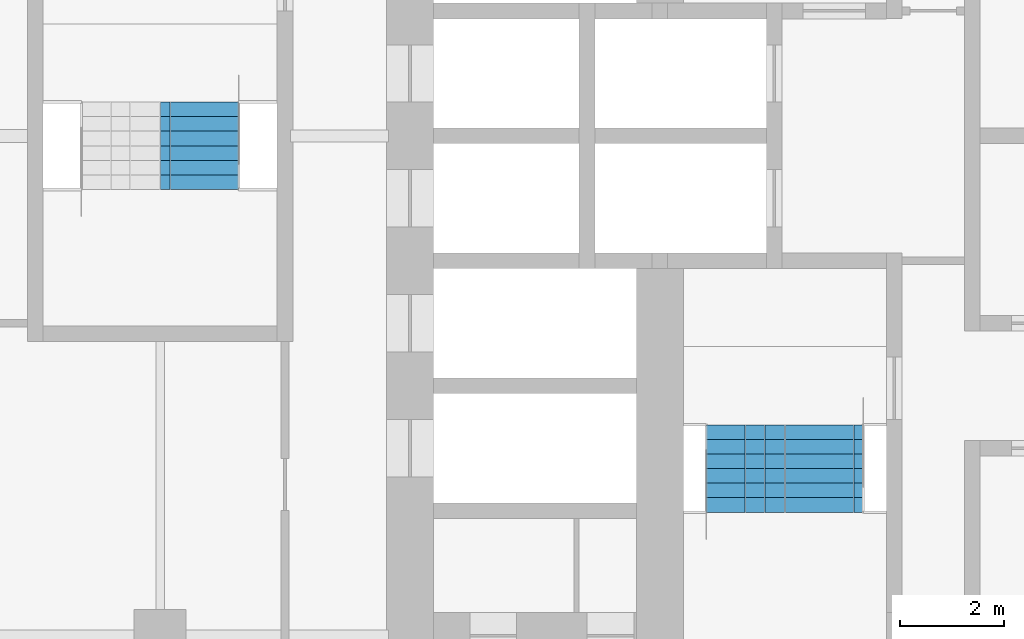
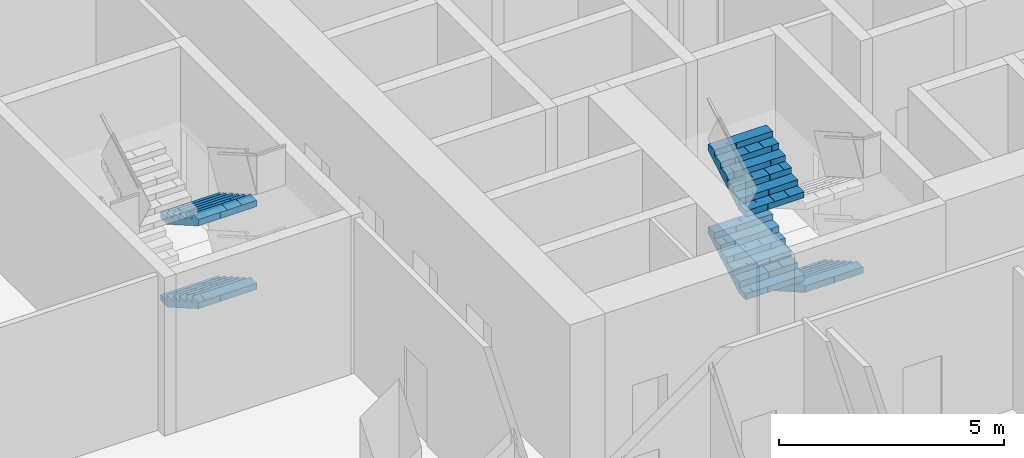
# One storey, part 20 of 27: 5 stair flights, 2 elements without a shape of their own.
"""IFC4 building model written with IfcOpenShell, lengths in metres."""

from ifc_helpers import new_model, si_unit, direction, frame, origin, place, context, subcontext, project, spatial, polyline, outline, extrude, material, type_object, element, aggregate, save


model = new_model("IFC4")

# Units and contexts
model_context = context("Model", 3, precision=1e-05, world=origin(), true_north=direction((0.0, 1.0)))
body_context = subcontext(model_context, "Body", "Model", "MODEL_VIEW")
ifc_project = project(units=[si_unit("LENGTHUNIT", "METRE"), si_unit("AREAUNIT", "SQUARE_METRE"), si_unit("VOLUMEUNIT", "CUBIC_METRE"), si_unit("PLANEANGLEUNIT", "RADIAN"), si_unit("MASSUNIT", "GRAM", prefix="KILO")], contexts=[model_context])

# Site, building, storey
site_placement = place(None, origin())
site = spatial("IfcSite", under=ifc_project, at=site_placement, CompositionType="ELEMENT")
building_placement = place(site_placement, origin())
building = spatial("IfcBuilding", under=site, at=building_placement, Name="Kolab Exchange Tower", CompositionType="ELEMENT")
storey_placement = place(building_placement, frame((0.0, 0.0, 118.39990234375)))
storey = spatial("IfcBuildingStorey", under=building, at=storey_placement, Name="L23", CompositionType="ELEMENT", Elevation=118.39990234375)

# Stair, stair flights
ifc_material = material(Name="Concrete C50/60", Category="concrete")
stair_type_1 = type_object("IfcStairType", Name="STAIR ST3 RISER 160.7", PredefinedType="DOUBLE_RETURN_STAIR", material=ifc_material)
stair_1_placement = place(storey_placement, origin())
stair_1 = element("IfcStair", 1, at=stair_1_placement, inside=storey, type_object=stair_type_1, Name="Stair 3", PredefinedType="DOUBLE_RETURN_STAIR")
stair_flight_type = type_object("IfcStairFlightType", Name="STAIR FLIGHT 1500 RISER 160.7", PredefinedType="STRAIGHT", material=ifc_material)
stair_flight_1_placement = place(storey_placement, frame((-6.43994140625, -5.550048828125, 0.0), z_axis=(0.0, 0.0, 1.0), x_axis=(0.0, -1.0, 0.0)))
stair_flight_1 = element("IfcStairFlight", 2, at=stair_flight_1_placement, type_object=stair_flight_type, Name="ST3 flight 1", NumberOfRisers=7, NumberOfTreads=6, PredefinedType="STRAIGHT", RiserHeight=0.160714286, TreadLength=0.28, context=body_context, shape_type="SweptSolid", body=[
    extrude(outline(polyline([(0.0, 0.0), (0.0, 0.16064453125), (0.280029296875, 0.16064453125), (0.280029296875, 0.321533203125), (0.56005859375, 0.321533203125), (0.56005859375, 0.482177734375), (0.840087890625, 0.482177734375), (0.840087890625, 0.642822265625), (1.1201171875, 0.642822265625), (1.1201171875, 0.803466796875), (1.39990234375, 0.803466796875), (1.39990234375, 0.96435546875), (1.679931640625, 0.96435546875), (1.679931640625, 1.125), (1.679931640625, 0.79150390625), (0.301025390625, 0.0), (0.0, 0.0)])), frame((0.0, 0.75, 0.0), z_axis=(0.0, -1.0, 0.0), x_axis=(1.0, 0.0, 0.0)), (0.0, 0.0, 1.0), 0.185791015625),
    extrude(outline(polyline([(0.0, 0.0), (0.0, 0.16064453125), (0.280029296875, 0.16064453125), (0.280029296875, 0.321533203125), (0.56005859375, 0.321533203125), (0.56005859375, 0.482177734375), (0.840087890625, 0.482177734375), (0.840087890625, 0.642822265625), (1.1201171875, 0.642822265625), (1.1201171875, 0.803466796875), (1.39990234375, 0.803466796875), (1.39990234375, 0.96435546875), (1.679931640625, 0.96435546875), (1.679931640625, 1.125), (1.679931640625, 0.79150390625), (0.301025390625, 0.0), (0.0, 0.0)])), frame((0.0, 0.562255859375, 0.0), z_axis=(0.0, -1.0, 0.0), x_axis=(1.0, 0.0, 0.0)), (0.0, 0.0, 1.0), 0.185791015625),
    extrude(outline(polyline([(0.0, 0.0), (0.0, 0.16064453125), (0.280029296875, 0.16064453125), (0.280029296875, 0.321533203125), (0.56005859375, 0.321533203125), (0.56005859375, 0.482177734375), (0.840087890625, 0.482177734375), (0.840087890625, 0.642822265625), (1.1201171875, 0.642822265625), (1.1201171875, 0.803466796875), (1.39990234375, 0.803466796875), (1.39990234375, 0.96435546875), (1.679931640625, 0.96435546875), (1.679931640625, 1.125), (1.679931640625, 0.79150390625), (0.301025390625, 0.0), (0.0, 0.0)])), frame((0.0, 0.37451171875, 0.0), z_axis=(0.0, -1.0, 0.0), x_axis=(1.0, 0.0, 0.0)), (0.0, 0.0, 1.0), 0.185791015625),
    extrude(outline(polyline([(0.0, 0.0), (0.0, 0.16064453125), (0.280029296875, 0.16064453125), (0.280029296875, 0.321533203125), (0.56005859375, 0.321533203125), (0.56005859375, 0.482177734375), (0.840087890625, 0.482177734375), (0.840087890625, 0.642822265625), (1.1201171875, 0.642822265625), (1.1201171875, 0.803466796875), (1.39990234375, 0.803466796875), (1.39990234375, 0.96435546875), (1.679931640625, 0.96435546875), (1.679931640625, 1.125), (1.679931640625, 0.79150390625), (0.301025390625, 0.0), (0.0, 0.0)])), frame((0.0, 0.186767578125, 0.0), z_axis=(0.0, -1.0, 0.0), x_axis=(1.0, 0.0, 0.0)), (0.0, 0.0, 1.0), 0.185791015625),
    extrude(outline(polyline([(0.0, 0.0), (0.0, 0.16064453125), (0.280029296875, 0.16064453125), (0.280029296875, 0.321533203125), (0.56005859375, 0.321533203125), (0.56005859375, 0.482177734375), (0.840087890625, 0.482177734375), (0.840087890625, 0.642822265625), (1.1201171875, 0.642822265625), (1.1201171875, 0.803466796875), (1.39990234375, 0.803466796875), (1.39990234375, 0.96435546875), (1.679931640625, 0.96435546875), (1.679931640625, 1.125), (1.679931640625, 0.79150390625), (0.301025390625, 0.0), (0.0, 0.0)])), frame((0.0, -0.0009765625, 0.0), z_axis=(0.0, -1.0, 0.0), x_axis=(1.0, 0.0, 0.0)), (0.0, 0.0, 1.0), 0.185791015625),
    extrude(outline(polyline([(0.0, 0.0), (0.0, 0.16064453125), (0.280029296875, 0.16064453125), (0.280029296875, 0.321533203125), (0.56005859375, 0.321533203125), (0.56005859375, 0.482177734375), (0.840087890625, 0.482177734375), (0.840087890625, 0.642822265625), (1.1201171875, 0.642822265625), (1.1201171875, 0.803466796875), (1.39990234375, 0.803466796875), (1.39990234375, 0.96435546875), (1.679931640625, 0.96435546875), (1.679931640625, 1.125), (1.679931640625, 0.79150390625), (0.301025390625, 0.0), (0.0, 0.0)])), frame((0.0, -0.188720703125, 0.0), z_axis=(0.0, -1.0, 0.0), x_axis=(1.0, 0.0, 0.0)), (0.0, 0.0, 1.0), 0.185791015625),
    extrude(outline(polyline([(0.0, 0.0), (0.0, 0.16064453125), (0.280029296875, 0.16064453125), (0.280029296875, 0.321533203125), (0.56005859375, 0.321533203125), (0.56005859375, 0.482177734375), (0.840087890625, 0.482177734375), (0.840087890625, 0.642822265625), (1.1201171875, 0.642822265625), (1.1201171875, 0.803466796875), (1.39990234375, 0.803466796875), (1.39990234375, 0.96435546875), (1.679931640625, 0.96435546875), (1.679931640625, 1.125), (1.679931640625, 0.79150390625), (0.301025390625, 0.0), (0.0, 0.0)])), frame((0.0, -0.37646484375, 0.0), z_axis=(0.0, -1.0, 0.0), x_axis=(1.0, 0.0, 0.0)), (0.0, 0.0, 1.0), 0.185791015625),
    extrude(outline(polyline([(0.0, 0.0), (0.0, 0.16064453125), (0.280029296875, 0.16064453125), (0.280029296875, 0.321533203125), (0.56005859375, 0.321533203125), (0.56005859375, 0.482177734375), (0.840087890625, 0.482177734375), (0.840087890625, 0.642822265625), (1.1201171875, 0.642822265625), (1.1201171875, 0.803466796875), (1.39990234375, 0.803466796875), (1.39990234375, 0.96435546875), (1.679931640625, 0.96435546875), (1.679931640625, 1.125), (1.679931640625, 0.79150390625), (0.301025390625, 0.0), (0.0, 0.0)])), frame((0.0, -0.564208984375, 0.0), z_axis=(0.0, -1.0, 0.0), x_axis=(1.0, 0.0, 0.0)), (0.0, 0.0, 1.0), 0.185791015625),
])
stair_flight_2_placement = place(storey_placement, frame((-7.9599609375, -7.22998046875, 1.125), z_axis=(0.0, 0.0, 1.0), x_axis=(0.0, 1.0, 0.0)))
stair_flight_2 = element("IfcStairFlight", 3, at=stair_flight_2_placement, type_object=stair_flight_type, Name="ST3 flight 2", NumberOfRisers=7, NumberOfTreads=6, PredefinedType="STRAIGHT", RiserHeight=0.160714286, TreadLength=0.28, context=body_context, shape_type="SweptSolid", body=[
    extrude(outline(polyline([(0.0, 0.0), (0.0, 0.16064453125), (0.280029296875, 0.16064453125), (0.280029296875, 0.321533203125), (0.56005859375, 0.321533203125), (0.56005859375, 0.482177734375), (0.840087890625, 0.482177734375), (0.840087890625, 0.642822265625), (1.1201171875, 0.642822265625), (1.1201171875, 0.803466796875), (1.39990234375, 0.803466796875), (1.39990234375, 0.96435546875), (1.679931640625, 0.96435546875), (1.679931640625, 1.125), (1.679931640625, 0.79150390625), (0.301025390625, 0.0), (0.0, 0.0)])), frame((0.0, 0.75, 0.0), z_axis=(0.0, -1.0, 0.0), x_axis=(1.0, 0.0, 0.0)), (0.0, 0.0, 1.0), 0.185791015625),
    extrude(outline(polyline([(0.0, 0.0), (0.0, 0.16064453125), (0.280029296875, 0.16064453125), (0.280029296875, 0.321533203125), (0.56005859375, 0.321533203125), (0.56005859375, 0.482177734375), (0.840087890625, 0.482177734375), (0.840087890625, 0.642822265625), (1.1201171875, 0.642822265625), (1.1201171875, 0.803466796875), (1.39990234375, 0.803466796875), (1.39990234375, 0.96435546875), (1.679931640625, 0.96435546875), (1.679931640625, 1.125), (1.679931640625, 0.79150390625), (0.301025390625, 0.0), (0.0, 0.0)])), frame((0.0, 0.562255859375, 0.0), z_axis=(0.0, -1.0, 0.0), x_axis=(1.0, 0.0, 0.0)), (0.0, 0.0, 1.0), 0.185791015625),
    extrude(outline(polyline([(0.0, 0.0), (0.0, 0.16064453125), (0.280029296875, 0.16064453125), (0.280029296875, 0.321533203125), (0.56005859375, 0.321533203125), (0.56005859375, 0.482177734375), (0.840087890625, 0.482177734375), (0.840087890625, 0.642822265625), (1.1201171875, 0.642822265625), (1.1201171875, 0.803466796875), (1.39990234375, 0.803466796875), (1.39990234375, 0.96435546875), (1.679931640625, 0.96435546875), (1.679931640625, 1.125), (1.679931640625, 0.79150390625), (0.301025390625, 0.0), (0.0, 0.0)])), frame((0.0, 0.37451171875, 0.0), z_axis=(0.0, -1.0, 0.0), x_axis=(1.0, 0.0, 0.0)), (0.0, 0.0, 1.0), 0.185791015625),
    extrude(outline(polyline([(0.0, 0.0), (0.0, 0.16064453125), (0.280029296875, 0.16064453125), (0.280029296875, 0.321533203125), (0.56005859375, 0.321533203125), (0.56005859375, 0.482177734375), (0.840087890625, 0.482177734375), (0.840087890625, 0.642822265625), (1.1201171875, 0.642822265625), (1.1201171875, 0.803466796875), (1.39990234375, 0.803466796875), (1.39990234375, 0.96435546875), (1.679931640625, 0.96435546875), (1.679931640625, 1.125), (1.679931640625, 0.79150390625), (0.301025390625, 0.0), (0.0, 0.0)])), frame((0.0, 0.186767578125, 0.0), z_axis=(0.0, -1.0, 0.0), x_axis=(1.0, 0.0, 0.0)), (0.0, 0.0, 1.0), 0.185791015625),
    extrude(outline(polyline([(0.0, 0.0), (0.0, 0.16064453125), (0.280029296875, 0.16064453125), (0.280029296875, 0.321533203125), (0.56005859375, 0.321533203125), (0.56005859375, 0.482177734375), (0.840087890625, 0.482177734375), (0.840087890625, 0.642822265625), (1.1201171875, 0.642822265625), (1.1201171875, 0.803466796875), (1.39990234375, 0.803466796875), (1.39990234375, 0.96435546875), (1.679931640625, 0.96435546875), (1.679931640625, 1.125), (1.679931640625, 0.79150390625), (0.301025390625, 0.0), (0.0, 0.0)])), frame((0.0, -0.0009765625, 0.0), z_axis=(0.0, -1.0, 0.0), x_axis=(1.0, 0.0, 0.0)), (0.0, 0.0, 1.0), 0.185791015625),
    extrude(outline(polyline([(0.0, 0.0), (0.0, 0.16064453125), (0.280029296875, 0.16064453125), (0.280029296875, 0.321533203125), (0.56005859375, 0.321533203125), (0.56005859375, 0.482177734375), (0.840087890625, 0.482177734375), (0.840087890625, 0.642822265625), (1.1201171875, 0.642822265625), (1.1201171875, 0.803466796875), (1.39990234375, 0.803466796875), (1.39990234375, 0.96435546875), (1.679931640625, 0.96435546875), (1.679931640625, 1.125), (1.679931640625, 0.79150390625), (0.301025390625, 0.0), (0.0, 0.0)])), frame((0.0, -0.188720703125, 0.0), z_axis=(0.0, -1.0, 0.0), x_axis=(1.0, 0.0, 0.0)), (0.0, 0.0, 1.0), 0.185791015625),
    extrude(outline(polyline([(0.0, 0.0), (0.0, 0.16064453125), (0.280029296875, 0.16064453125), (0.280029296875, 0.321533203125), (0.56005859375, 0.321533203125), (0.56005859375, 0.482177734375), (0.840087890625, 0.482177734375), (0.840087890625, 0.642822265625), (1.1201171875, 0.642822265625), (1.1201171875, 0.803466796875), (1.39990234375, 0.803466796875), (1.39990234375, 0.96435546875), (1.679931640625, 0.96435546875), (1.679931640625, 1.125), (1.679931640625, 0.79150390625), (0.301025390625, 0.0), (0.0, 0.0)])), frame((0.0, -0.37646484375, 0.0), z_axis=(0.0, -1.0, 0.0), x_axis=(1.0, 0.0, 0.0)), (0.0, 0.0, 1.0), 0.185791015625),
    extrude(outline(polyline([(0.0, 0.0), (0.0, 0.16064453125), (0.280029296875, 0.16064453125), (0.280029296875, 0.321533203125), (0.56005859375, 0.321533203125), (0.56005859375, 0.482177734375), (0.840087890625, 0.482177734375), (0.840087890625, 0.642822265625), (1.1201171875, 0.642822265625), (1.1201171875, 0.803466796875), (1.39990234375, 0.803466796875), (1.39990234375, 0.96435546875), (1.679931640625, 0.96435546875), (1.679931640625, 1.125), (1.679931640625, 0.79150390625), (0.301025390625, 0.0), (0.0, 0.0)])), frame((0.0, -0.564208984375, 0.0), z_axis=(0.0, -1.0, 0.0), x_axis=(1.0, 0.0, 0.0)), (0.0, 0.0, 1.0), 0.185791015625),
])
stair_flight_3_placement = place(storey_placement, frame((-7.9599609375, -7.22998046875, 3.375), z_axis=(0.0, 0.0, 1.0), x_axis=(0.0, 1.0, 0.0)))
stair_flight_3 = element("IfcStairFlight", 4, at=stair_flight_3_placement, type_object=stair_flight_type, Name="ST3 flight 4", NumberOfRisers=7, NumberOfTreads=6, PredefinedType="STRAIGHT", RiserHeight=0.160714286, TreadLength=0.28, context=body_context, shape_type="SweptSolid", body=[
    extrude(outline(polyline([(0.0, 0.0), (0.0, 0.16064453125), (0.280029296875, 0.16064453125), (0.280029296875, 0.321533203125), (0.56005859375, 0.321533203125), (0.56005859375, 0.482177734375), (0.840087890625, 0.482177734375), (0.840087890625, 0.642822265625), (1.1201171875, 0.642822265625), (1.1201171875, 0.803466796875), (1.39990234375, 0.803466796875), (1.39990234375, 0.96435546875), (1.679931640625, 0.96435546875), (1.679931640625, 1.125), (1.679931640625, 0.79150390625), (0.301025390625, 0.0), (0.0, 0.0)])), frame((0.0, 0.75, 0.0), z_axis=(0.0, -1.0, 0.0), x_axis=(1.0, 0.0, 0.0)), (0.0, 0.0, 1.0), 0.185791015625),
    extrude(outline(polyline([(0.0, 0.0), (0.0, 0.16064453125), (0.280029296875, 0.16064453125), (0.280029296875, 0.321533203125), (0.56005859375, 0.321533203125), (0.56005859375, 0.482177734375), (0.840087890625, 0.482177734375), (0.840087890625, 0.642822265625), (1.1201171875, 0.642822265625), (1.1201171875, 0.803466796875), (1.39990234375, 0.803466796875), (1.39990234375, 0.96435546875), (1.679931640625, 0.96435546875), (1.679931640625, 1.125), (1.679931640625, 0.79150390625), (0.301025390625, 0.0), (0.0, 0.0)])), frame((0.0, 0.562255859375, 0.0), z_axis=(0.0, -1.0, 0.0), x_axis=(1.0, 0.0, 0.0)), (0.0, 0.0, 1.0), 0.185791015625),
    extrude(outline(polyline([(0.0, 0.0), (0.0, 0.16064453125), (0.280029296875, 0.16064453125), (0.280029296875, 0.321533203125), (0.56005859375, 0.321533203125), (0.56005859375, 0.482177734375), (0.840087890625, 0.482177734375), (0.840087890625, 0.642822265625), (1.1201171875, 0.642822265625), (1.1201171875, 0.803466796875), (1.39990234375, 0.803466796875), (1.39990234375, 0.96435546875), (1.679931640625, 0.96435546875), (1.679931640625, 1.125), (1.679931640625, 0.79150390625), (0.301025390625, 0.0), (0.0, 0.0)])), frame((0.0, 0.37451171875, 0.0), z_axis=(0.0, -1.0, 0.0), x_axis=(1.0, 0.0, 0.0)), (0.0, 0.0, 1.0), 0.185791015625),
    extrude(outline(polyline([(0.0, 0.0), (0.0, 0.16064453125), (0.280029296875, 0.16064453125), (0.280029296875, 0.321533203125), (0.56005859375, 0.321533203125), (0.56005859375, 0.482177734375), (0.840087890625, 0.482177734375), (0.840087890625, 0.642822265625), (1.1201171875, 0.642822265625), (1.1201171875, 0.803466796875), (1.39990234375, 0.803466796875), (1.39990234375, 0.96435546875), (1.679931640625, 0.96435546875), (1.679931640625, 1.125), (1.679931640625, 0.79150390625), (0.301025390625, 0.0), (0.0, 0.0)])), frame((0.0, 0.186767578125, 0.0), z_axis=(0.0, -1.0, 0.0), x_axis=(1.0, 0.0, 0.0)), (0.0, 0.0, 1.0), 0.185791015625),
    extrude(outline(polyline([(0.0, 0.0), (0.0, 0.16064453125), (0.280029296875, 0.16064453125), (0.280029296875, 0.321533203125), (0.56005859375, 0.321533203125), (0.56005859375, 0.482177734375), (0.840087890625, 0.482177734375), (0.840087890625, 0.642822265625), (1.1201171875, 0.642822265625), (1.1201171875, 0.803466796875), (1.39990234375, 0.803466796875), (1.39990234375, 0.96435546875), (1.679931640625, 0.96435546875), (1.679931640625, 1.125), (1.679931640625, 0.79150390625), (0.301025390625, 0.0), (0.0, 0.0)])), frame((0.0, -0.0009765625, 0.0), z_axis=(0.0, -1.0, 0.0), x_axis=(1.0, 0.0, 0.0)), (0.0, 0.0, 1.0), 0.185791015625),
    extrude(outline(polyline([(0.0, 0.0), (0.0, 0.16064453125), (0.280029296875, 0.16064453125), (0.280029296875, 0.321533203125), (0.56005859375, 0.321533203125), (0.56005859375, 0.482177734375), (0.840087890625, 0.482177734375), (0.840087890625, 0.642822265625), (1.1201171875, 0.642822265625), (1.1201171875, 0.803466796875), (1.39990234375, 0.803466796875), (1.39990234375, 0.96435546875), (1.679931640625, 0.96435546875), (1.679931640625, 1.125), (1.679931640625, 0.79150390625), (0.301025390625, 0.0), (0.0, 0.0)])), frame((0.0, -0.188720703125, 0.0), z_axis=(0.0, -1.0, 0.0), x_axis=(1.0, 0.0, 0.0)), (0.0, 0.0, 1.0), 0.185791015625),
    extrude(outline(polyline([(0.0, 0.0), (0.0, 0.16064453125), (0.280029296875, 0.16064453125), (0.280029296875, 0.321533203125), (0.56005859375, 0.321533203125), (0.56005859375, 0.482177734375), (0.840087890625, 0.482177734375), (0.840087890625, 0.642822265625), (1.1201171875, 0.642822265625), (1.1201171875, 0.803466796875), (1.39990234375, 0.803466796875), (1.39990234375, 0.96435546875), (1.679931640625, 0.96435546875), (1.679931640625, 1.125), (1.679931640625, 0.79150390625), (0.301025390625, 0.0), (0.0, 0.0)])), frame((0.0, -0.37646484375, 0.0), z_axis=(0.0, -1.0, 0.0), x_axis=(1.0, 0.0, 0.0)), (0.0, 0.0, 1.0), 0.185791015625),
    extrude(outline(polyline([(0.0, 0.0), (0.0, 0.16064453125), (0.280029296875, 0.16064453125), (0.280029296875, 0.321533203125), (0.56005859375, 0.321533203125), (0.56005859375, 0.482177734375), (0.840087890625, 0.482177734375), (0.840087890625, 0.642822265625), (1.1201171875, 0.642822265625), (1.1201171875, 0.803466796875), (1.39990234375, 0.803466796875), (1.39990234375, 0.96435546875), (1.679931640625, 0.96435546875), (1.679931640625, 1.125), (1.679931640625, 0.79150390625), (0.301025390625, 0.0), (0.0, 0.0)])), frame((0.0, -0.564208984375, 0.0), z_axis=(0.0, -1.0, 0.0), x_axis=(1.0, 0.0, 0.0)), (0.0, 0.0, 1.0), 0.185791015625),
])
aggregate(stair_1, [stair_flight_1, stair_flight_2, stair_flight_3])

stair_type_2 = type_object("IfcStairType", Name="STAIR ST5 RISER 160.7", PredefinedType="DOUBLE_RETURN_STAIR", material=ifc_material)
stair_2_placement = place(storey_placement, origin())
stair_2 = element("IfcStair", 5, at=stair_2_placement, inside=storey, type_object=stair_type_2, Name="Stair 5", PredefinedType="DOUBLE_RETURN_STAIR")
stair_flight_4_placement = place(storey_placement, frame((-18.43994140625, 0.64990234375, 0.0), z_axis=(0.0, 0.0, 1.0), x_axis=(0.0, -1.0, 0.0)))
stair_flight_4 = element("IfcStairFlight", 6, at=stair_flight_4_placement, type_object=stair_flight_type, Name="ST5 flight 1", NumberOfRisers=7, NumberOfTreads=6, PredefinedType="STRAIGHT", RiserHeight=0.160714286, TreadLength=0.28, context=body_context, shape_type="SweptSolid", body=[
    extrude(outline(polyline([(0.0, 0.0), (0.0, 0.16064453125), (0.280029296875, 0.16064453125), (0.280029296875, 0.321533203125), (0.56005859375, 0.321533203125), (0.56005859375, 0.482177734375), (0.840087890625, 0.482177734375), (0.840087890625, 0.642822265625), (1.1201171875, 0.642822265625), (1.1201171875, 0.803466796875), (1.39990234375, 0.803466796875), (1.39990234375, 0.96435546875), (1.679931640625, 0.96435546875), (1.679931640625, 1.125), (1.679931640625, 0.79150390625), (0.301025390625, 0.0), (0.0, 0.0)])), frame((0.0, 0.75, 0.0), z_axis=(0.0, -1.0, 0.0), x_axis=(1.0, 0.0, 0.0)), (0.0, 0.0, 1.0), 0.185791015625),
    extrude(outline(polyline([(0.0, 0.0), (0.0, 0.16064453125), (0.280029296875, 0.16064453125), (0.280029296875, 0.321533203125), (0.56005859375, 0.321533203125), (0.56005859375, 0.482177734375), (0.840087890625, 0.482177734375), (0.840087890625, 0.642822265625), (1.1201171875, 0.642822265625), (1.1201171875, 0.803466796875), (1.39990234375, 0.803466796875), (1.39990234375, 0.96435546875), (1.679931640625, 0.96435546875), (1.679931640625, 1.125), (1.679931640625, 0.79150390625), (0.301025390625, 0.0), (0.0, 0.0)])), frame((0.0, 0.562255859375, 0.0), z_axis=(0.0, -1.0, 0.0), x_axis=(1.0, 0.0, 0.0)), (0.0, 0.0, 1.0), 0.185791015625),
    extrude(outline(polyline([(0.0, 0.0), (0.0, 0.16064453125), (0.280029296875, 0.16064453125), (0.280029296875, 0.321533203125), (0.56005859375, 0.321533203125), (0.56005859375, 0.482177734375), (0.840087890625, 0.482177734375), (0.840087890625, 0.642822265625), (1.1201171875, 0.642822265625), (1.1201171875, 0.803466796875), (1.39990234375, 0.803466796875), (1.39990234375, 0.96435546875), (1.679931640625, 0.96435546875), (1.679931640625, 1.125), (1.679931640625, 0.79150390625), (0.301025390625, 0.0), (0.0, 0.0)])), frame((0.0, 0.37451171875, 0.0), z_axis=(0.0, -1.0, 0.0), x_axis=(1.0, 0.0, 0.0)), (0.0, 0.0, 1.0), 0.185791015625),
    extrude(outline(polyline([(0.0, 0.0), (0.0, 0.16064453125), (0.280029296875, 0.16064453125), (0.280029296875, 0.321533203125), (0.56005859375, 0.321533203125), (0.56005859375, 0.482177734375), (0.840087890625, 0.482177734375), (0.840087890625, 0.642822265625), (1.1201171875, 0.642822265625), (1.1201171875, 0.803466796875), (1.39990234375, 0.803466796875), (1.39990234375, 0.96435546875), (1.679931640625, 0.96435546875), (1.679931640625, 1.125), (1.679931640625, 0.79150390625), (0.301025390625, 0.0), (0.0, 0.0)])), frame((0.0, 0.186767578125, 0.0), z_axis=(0.0, -1.0, 0.0), x_axis=(1.0, 0.0, 0.0)), (0.0, 0.0, 1.0), 0.185791015625),
    extrude(outline(polyline([(0.0, 0.0), (0.0, 0.16064453125), (0.280029296875, 0.16064453125), (0.280029296875, 0.321533203125), (0.56005859375, 0.321533203125), (0.56005859375, 0.482177734375), (0.840087890625, 0.482177734375), (0.840087890625, 0.642822265625), (1.1201171875, 0.642822265625), (1.1201171875, 0.803466796875), (1.39990234375, 0.803466796875), (1.39990234375, 0.96435546875), (1.679931640625, 0.96435546875), (1.679931640625, 1.125), (1.679931640625, 0.79150390625), (0.301025390625, 0.0), (0.0, 0.0)])), frame((0.0, -0.0009765625, 0.0), z_axis=(0.0, -1.0, 0.0), x_axis=(1.0, 0.0, 0.0)), (0.0, 0.0, 1.0), 0.185791015625),
    extrude(outline(polyline([(0.0, 0.0), (0.0, 0.16064453125), (0.280029296875, 0.16064453125), (0.280029296875, 0.321533203125), (0.56005859375, 0.321533203125), (0.56005859375, 0.482177734375), (0.840087890625, 0.482177734375), (0.840087890625, 0.642822265625), (1.1201171875, 0.642822265625), (1.1201171875, 0.803466796875), (1.39990234375, 0.803466796875), (1.39990234375, 0.96435546875), (1.679931640625, 0.96435546875), (1.679931640625, 1.125), (1.679931640625, 0.79150390625), (0.301025390625, 0.0), (0.0, 0.0)])), frame((0.0, -0.188720703125, 0.0), z_axis=(0.0, -1.0, 0.0), x_axis=(1.0, 0.0, 0.0)), (0.0, 0.0, 1.0), 0.185791015625),
    extrude(outline(polyline([(0.0, 0.0), (0.0, 0.16064453125), (0.280029296875, 0.16064453125), (0.280029296875, 0.321533203125), (0.56005859375, 0.321533203125), (0.56005859375, 0.482177734375), (0.840087890625, 0.482177734375), (0.840087890625, 0.642822265625), (1.1201171875, 0.642822265625), (1.1201171875, 0.803466796875), (1.39990234375, 0.803466796875), (1.39990234375, 0.96435546875), (1.679931640625, 0.96435546875), (1.679931640625, 1.125), (1.679931640625, 0.79150390625), (0.301025390625, 0.0), (0.0, 0.0)])), frame((0.0, -0.37646484375, 0.0), z_axis=(0.0, -1.0, 0.0), x_axis=(1.0, 0.0, 0.0)), (0.0, 0.0, 1.0), 0.185791015625),
    extrude(outline(polyline([(0.0, 0.0), (0.0, 0.16064453125), (0.280029296875, 0.16064453125), (0.280029296875, 0.321533203125), (0.56005859375, 0.321533203125), (0.56005859375, 0.482177734375), (0.840087890625, 0.482177734375), (0.840087890625, 0.642822265625), (1.1201171875, 0.642822265625), (1.1201171875, 0.803466796875), (1.39990234375, 0.803466796875), (1.39990234375, 0.96435546875), (1.679931640625, 0.96435546875), (1.679931640625, 1.125), (1.679931640625, 0.79150390625), (0.301025390625, 0.0), (0.0, 0.0)])), frame((0.0, -0.564208984375, 0.0), z_axis=(0.0, -1.0, 0.0), x_axis=(1.0, 0.0, 0.0)), (0.0, 0.0, 1.0), 0.185791015625),
])
stair_flight_5_placement = place(storey_placement, frame((-18.43994140625, 0.64990234375, 2.25), z_axis=(0.0, 0.0, 1.0), x_axis=(0.0, -1.0, 0.0)))
stair_flight_5 = element("IfcStairFlight", 7, at=stair_flight_5_placement, type_object=stair_flight_type, Name="ST5 flight 3", NumberOfRisers=7, NumberOfTreads=6, PredefinedType="STRAIGHT", RiserHeight=0.160714286, TreadLength=0.28, context=body_context, shape_type="SweptSolid", body=[
    extrude(outline(polyline([(0.0, 0.0), (0.0, 0.16064453125), (0.280029296875, 0.16064453125), (0.280029296875, 0.321533203125), (0.56005859375, 0.321533203125), (0.56005859375, 0.482177734375), (0.840087890625, 0.482177734375), (0.840087890625, 0.642822265625), (1.1201171875, 0.642822265625), (1.1201171875, 0.803466796875), (1.39990234375, 0.803466796875), (1.39990234375, 0.96435546875), (1.679931640625, 0.96435546875), (1.679931640625, 1.125), (1.679931640625, 0.79150390625), (0.301025390625, 0.0), (0.0, 0.0)])), frame((0.0, 0.75, 0.0), z_axis=(0.0, -1.0, 0.0), x_axis=(1.0, 0.0, 0.0)), (0.0, 0.0, 1.0), 0.185791015625),
    extrude(outline(polyline([(0.0, 0.0), (0.0, 0.16064453125), (0.280029296875, 0.16064453125), (0.280029296875, 0.321533203125), (0.56005859375, 0.321533203125), (0.56005859375, 0.482177734375), (0.840087890625, 0.482177734375), (0.840087890625, 0.642822265625), (1.1201171875, 0.642822265625), (1.1201171875, 0.803466796875), (1.39990234375, 0.803466796875), (1.39990234375, 0.96435546875), (1.679931640625, 0.96435546875), (1.679931640625, 1.125), (1.679931640625, 0.79150390625), (0.301025390625, 0.0), (0.0, 0.0)])), frame((0.0, 0.562255859375, 0.0), z_axis=(0.0, -1.0, 0.0), x_axis=(1.0, 0.0, 0.0)), (0.0, 0.0, 1.0), 0.185791015625),
    extrude(outline(polyline([(0.0, 0.0), (0.0, 0.16064453125), (0.280029296875, 0.16064453125), (0.280029296875, 0.321533203125), (0.56005859375, 0.321533203125), (0.56005859375, 0.482177734375), (0.840087890625, 0.482177734375), (0.840087890625, 0.642822265625), (1.1201171875, 0.642822265625), (1.1201171875, 0.803466796875), (1.39990234375, 0.803466796875), (1.39990234375, 0.96435546875), (1.679931640625, 0.96435546875), (1.679931640625, 1.125), (1.679931640625, 0.79150390625), (0.301025390625, 0.0), (0.0, 0.0)])), frame((0.0, 0.37451171875, 0.0), z_axis=(0.0, -1.0, 0.0), x_axis=(1.0, 0.0, 0.0)), (0.0, 0.0, 1.0), 0.185791015625),
    extrude(outline(polyline([(0.0, 0.0), (0.0, 0.16064453125), (0.280029296875, 0.16064453125), (0.280029296875, 0.321533203125), (0.56005859375, 0.321533203125), (0.56005859375, 0.482177734375), (0.840087890625, 0.482177734375), (0.840087890625, 0.642822265625), (1.1201171875, 0.642822265625), (1.1201171875, 0.803466796875), (1.39990234375, 0.803466796875), (1.39990234375, 0.96435546875), (1.679931640625, 0.96435546875), (1.679931640625, 1.125), (1.679931640625, 0.79150390625), (0.301025390625, 0.0), (0.0, 0.0)])), frame((0.0, 0.186767578125, 0.0), z_axis=(0.0, -1.0, 0.0), x_axis=(1.0, 0.0, 0.0)), (0.0, 0.0, 1.0), 0.185791015625),
    extrude(outline(polyline([(0.0, 0.0), (0.0, 0.16064453125), (0.280029296875, 0.16064453125), (0.280029296875, 0.321533203125), (0.56005859375, 0.321533203125), (0.56005859375, 0.482177734375), (0.840087890625, 0.482177734375), (0.840087890625, 0.642822265625), (1.1201171875, 0.642822265625), (1.1201171875, 0.803466796875), (1.39990234375, 0.803466796875), (1.39990234375, 0.96435546875), (1.679931640625, 0.96435546875), (1.679931640625, 1.125), (1.679931640625, 0.79150390625), (0.301025390625, 0.0), (0.0, 0.0)])), frame((0.0, -0.0009765625, 0.0), z_axis=(0.0, -1.0, 0.0), x_axis=(1.0, 0.0, 0.0)), (0.0, 0.0, 1.0), 0.185791015625),
    extrude(outline(polyline([(0.0, 0.0), (0.0, 0.16064453125), (0.280029296875, 0.16064453125), (0.280029296875, 0.321533203125), (0.56005859375, 0.321533203125), (0.56005859375, 0.482177734375), (0.840087890625, 0.482177734375), (0.840087890625, 0.642822265625), (1.1201171875, 0.642822265625), (1.1201171875, 0.803466796875), (1.39990234375, 0.803466796875), (1.39990234375, 0.96435546875), (1.679931640625, 0.96435546875), (1.679931640625, 1.125), (1.679931640625, 0.79150390625), (0.301025390625, 0.0), (0.0, 0.0)])), frame((0.0, -0.188720703125, 0.0), z_axis=(0.0, -1.0, 0.0), x_axis=(1.0, 0.0, 0.0)), (0.0, 0.0, 1.0), 0.185791015625),
    extrude(outline(polyline([(0.0, 0.0), (0.0, 0.16064453125), (0.280029296875, 0.16064453125), (0.280029296875, 0.321533203125), (0.56005859375, 0.321533203125), (0.56005859375, 0.482177734375), (0.840087890625, 0.482177734375), (0.840087890625, 0.642822265625), (1.1201171875, 0.642822265625), (1.1201171875, 0.803466796875), (1.39990234375, 0.803466796875), (1.39990234375, 0.96435546875), (1.679931640625, 0.96435546875), (1.679931640625, 1.125), (1.679931640625, 0.79150390625), (0.301025390625, 0.0), (0.0, 0.0)])), frame((0.0, -0.37646484375, 0.0), z_axis=(0.0, -1.0, 0.0), x_axis=(1.0, 0.0, 0.0)), (0.0, 0.0, 1.0), 0.185791015625),
    extrude(outline(polyline([(0.0, 0.0), (0.0, 0.16064453125), (0.280029296875, 0.16064453125), (0.280029296875, 0.321533203125), (0.56005859375, 0.321533203125), (0.56005859375, 0.482177734375), (0.840087890625, 0.482177734375), (0.840087890625, 0.642822265625), (1.1201171875, 0.642822265625), (1.1201171875, 0.803466796875), (1.39990234375, 0.803466796875), (1.39990234375, 0.96435546875), (1.679931640625, 0.96435546875), (1.679931640625, 1.125), (1.679931640625, 0.79150390625), (0.301025390625, 0.0), (0.0, 0.0)])), frame((0.0, -0.564208984375, 0.0), z_axis=(0.0, -1.0, 0.0), x_axis=(1.0, 0.0, 0.0)), (0.0, 0.0, 1.0), 0.185791015625),
])
aggregate(stair_2, [stair_flight_4, stair_flight_5])

save(model, "model.ifc")
